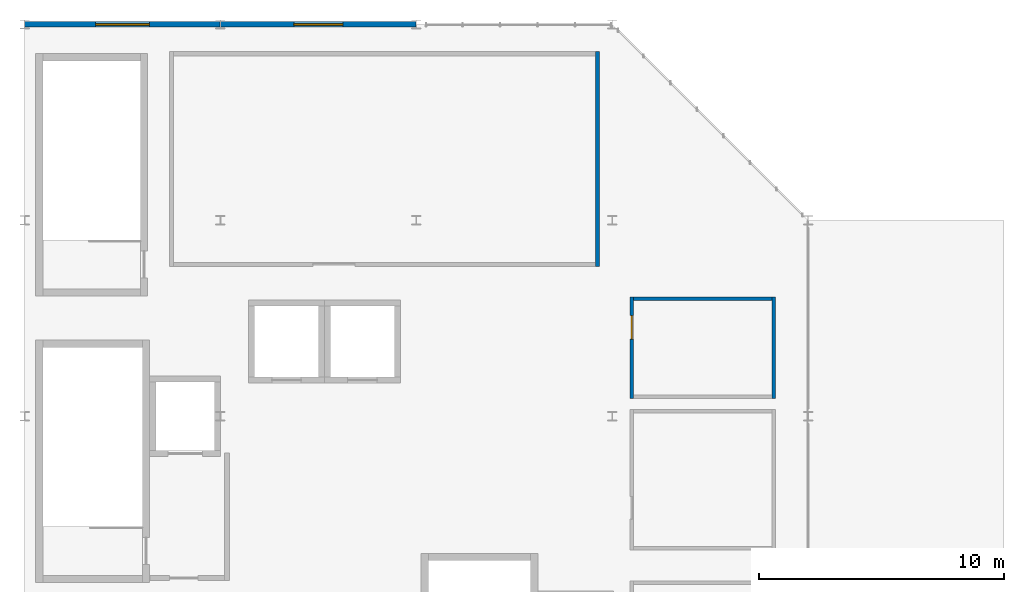
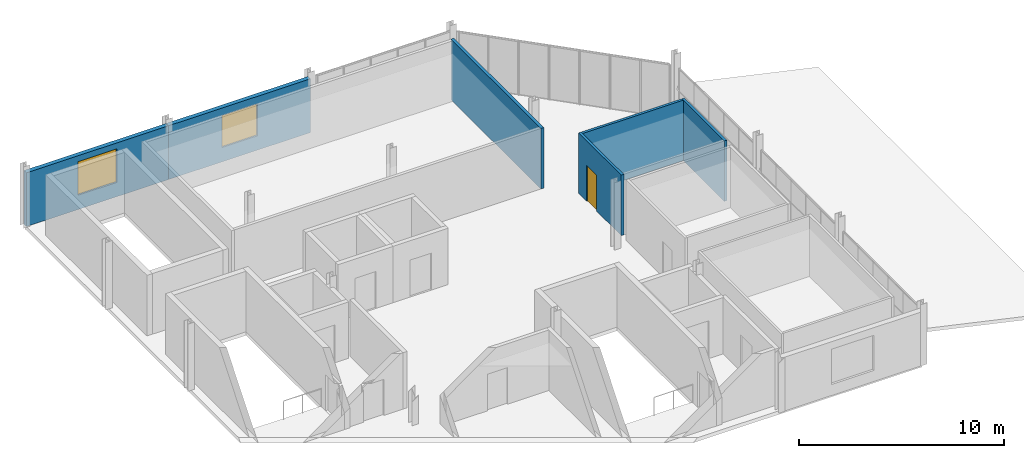
# One storey, part 6 of 7: 6 walls, 2 windows, 1 door, 3 openings.
"""IFC4 building model written with IfcOpenShell, lengths in metres."""

from ifc_helpers import new_model, si_unit, direction, frame, frame_2d, origin, place, context, subcontext, project, spatial, rectangle, extrude, material, layer, layer_set, type_object, element, fill, save


model = new_model("IFC4")

# Units and contexts
model_context = context("Model", 3, precision=1e-05, world=origin(), true_north=direction((0.0, 1.0)))
body_context = subcontext(model_context, "Body", "Model", "MODEL_VIEW")
ifc_project = project(units=[si_unit("LENGTHUNIT", "METRE"), si_unit("AREAUNIT", "SQUARE_METRE"), si_unit("VOLUMEUNIT", "CUBIC_METRE"), si_unit("PLANEANGLEUNIT", "RADIAN"), si_unit("MASSUNIT", "GRAM", prefix="KILO")], contexts=[model_context])

# Site, building, storey
site_placement = place(None, origin())
site = spatial("IfcSite", under=ifc_project, at=site_placement, CompositionType="ELEMENT")
building_placement = place(site_placement, origin())
building = spatial("IfcBuilding", under=site, at=building_placement, Name="Drelvath Fold Interchange", CompositionType="ELEMENT")
storey_placement = place(building_placement, frame((0.0, 0.0, 24.0)))
storey = spatial("IfcBuildingStorey", under=building, at=storey_placement, Name="L05", CompositionType="ELEMENT", Elevation=24.0)

# Wall, opening, window
ifc_material_1 = material(Name="Perforated Anodized Aluminium Rainscreen", Category="aluminium")
ifc_layer_1 = layer(ifc_material_1, 0.235107421875, Name="Perforated Anodized Aluminium Rainscreen")
ifc_layer_set_1 = layer_set([ifc_layer_1], Name="Perforated Anodized Aluminium Rainscreen")
wall_type_1 = type_object("IfcWallType", Name="WL-EXT235", PredefinedType="SOLIDWALL", material=ifc_layer_set_1)
wall_1_placement = place(storey_placement, frame((4.008056640625, 35.0, 0.0), z_axis=(0.0, 0.0, 1.0), x_axis=(1.0, 0.0, 0.0)))
wall_1 = element("IfcWall", 1, at=wall_1_placement, inside=storey, type_object=wall_type_1, Name="L05 exterior facade wall 83", PredefinedType="SOLIDWALL", context=body_context, shape_type="SweptSolid", body=[
    extrude(rectangle(XDim=7.98388671875, YDim=0.235107421875, at=frame_2d((3.991943359375, 0.0))), origin(), (0.0, 0.0, 1.0), 3.199951171875),
])
opening_1_placement = place(wall_1_placement, frame((2.89208984375, 0.0, 0.85009765625)))
opening_1 = element("IfcOpeningElement", 2, at=opening_1_placement, cuts=wall_1, Name="Opening W-L05-074", PredefinedType="OPENING", context=body_context, shape_type="SweptSolid", body=[
    extrude(rectangle(XDim=2.199951171875, YDim=2.0, at=frame_2d((1.10009765625, 1.0))), frame((0.0, 0.12744140625, 0.0), z_axis=(0.0, -1.0, 0.0), x_axis=(1.0, 0.0, 0.0)), (0.0, 0.0, 1.0), 0.255126953125),
])
ifc_material_2 = material(Name="Low-Iron Insulated Laminated Glass", Category="glass")
window_type_1 = type_object("IfcWindowType", Name="WN-220x200", PartitioningType="DOUBLE_PANEL_VERTICAL", PredefinedType="WINDOW", material=ifc_material_2)
window_1_placement = place(opening_1_placement, origin())
window_1 = element("IfcWindow", 3, at=window_1_placement, inside=storey, type_object=window_type_1, Name="Facade window W-L05-074", OverallHeight=2.0, OverallWidth=2.199951171875, PartitioningType="SINGLE_PANEL", PredefinedType="WINDOW", context=body_context, shape_type="SweptSolid", body=[
    extrude(rectangle(XDim=2.199951171875, YDim=2.0, at=frame_2d((1.10009765625, 1.0))), frame((0.0, 0.030029296875, 0.0), z_axis=(0.0, -1.0, 0.0), x_axis=(1.0, 0.0, 0.0)), (0.0, 0.0, 1.0), 0.06005859375),
])
fill(opening_1, window_1)

wall_2_placement = place(storey_placement, frame((12.008056640625, 35.0, 0.0), z_axis=(0.0, 0.0, 1.0), x_axis=(1.0, 0.0, 0.0)))
wall_2 = element("IfcWall", 4, at=wall_2_placement, inside=storey, type_object=wall_type_1, Name="L05 exterior facade wall 84", PredefinedType="SOLIDWALL", context=body_context, shape_type="SweptSolid", body=[
    extrude(rectangle(XDim=7.98388671875, YDim=0.235107421875, at=frame_2d((3.991943359375, 0.0))), origin(), (0.0, 0.0, 1.0), 3.199951171875),
])
opening_2_placement = place(wall_2_placement, frame((2.991943359375, 0.0, 0.85009765625)))
opening_2 = element("IfcOpeningElement", 5, at=opening_2_placement, cuts=wall_2, Name="Opening W-L05-075", PredefinedType="OPENING", context=body_context, shape_type="SweptSolid", body=[
    extrude(rectangle(XDim=2.0, YDim=1.89990234375, at=frame_2d((1.0, 0.949951171875))), frame((0.0, 0.12744140625, 0.0), z_axis=(0.0, -1.0, 0.0), x_axis=(1.0, 0.0, 0.0)), (0.0, 0.0, 1.0), 0.255126953125),
])
window_type_2 = type_object("IfcWindowType", Name="WN-200x190", PartitioningType="DOUBLE_PANEL_VERTICAL", PredefinedType="WINDOW", material=ifc_material_2)
window_2_placement = place(opening_2_placement, origin())
window_2 = element("IfcWindow", 6, at=window_2_placement, inside=storey, type_object=window_type_2, Name="Facade window W-L05-075", OverallHeight=1.89990234375, OverallWidth=2.0, PartitioningType="SINGLE_PANEL", PredefinedType="WINDOW", context=body_context, shape_type="SweptSolid", body=[
    extrude(rectangle(XDim=2.0, YDim=1.89990234375, at=frame_2d((1.0, 0.949951171875))), frame((0.0, 0.030029296875, 0.0), z_axis=(0.0, -1.0, 0.0), x_axis=(1.0, 0.0, 0.0)), (0.0, 0.0, 1.0), 0.06005859375),
])
fill(opening_2, window_2)

# Walls
ifc_material_3 = material(Name="Acoustic Gypsum Board Partition Assembly")
ifc_layer_2 = layer(ifc_material_3, 0.14501953125, Name="Acoustic Gypsum Board Partition Assembly")
ifc_layer_set_2 = layer_set([ifc_layer_2], Name="Acoustic Gypsum Board Partition Assembly")
wall_type_2 = type_object("IfcWallType", Name="WL-PT145", PredefinedType="PARTITIONING", material=ifc_layer_set_2)
wall_3_placement = place(storey_placement, frame((34.60009765625, 19.72705078125, 0.0), z_axis=(0.0, 0.0, 1.0), x_axis=(0.0, 1.0, 0.0)))
element("IfcWall", 7, at=wall_3_placement, inside=storey, type_object=wall_type_2, Name="Control Theatre Accessible WC E partition", PredefinedType="PARTITIONING", context=body_context, shape_type="SweptSolid", body=[
    extrude(rectangle(XDim=4.14599609375, YDim=0.14501953125, at=frame_2d((2.072998046875, 0.0))), origin(), (0.0, 0.0, 1.0), 3.60009765625),
])
wall_4_placement = place(storey_placement, frame((34.528076171875, 23.800048828125, 0.0), z_axis=(0.0, 0.0, 1.0), x_axis=(-1.0, 0.0, 0.0)))
element("IfcWall", 8, at=wall_4_placement, inside=storey, type_object=wall_type_2, Name="Control Theatre Accessible WC N partition", PredefinedType="PARTITIONING", context=body_context, shape_type="SweptSolid", body=[
    extrude(rectangle(XDim=5.655029296875, YDim=0.14501953125, at=frame_2d((2.82763671875, 0.0))), origin(), (0.0, 0.0, 1.0), 3.60009765625),
])

# Wall, opening, door
wall_5_placement = place(storey_placement, frame((28.800048828125, 23.873046875, 0.0), z_axis=(0.0, 0.0, 1.0), x_axis=(0.0, -1.0, 0.0)))
wall_5 = element("IfcWall", 9, at=wall_5_placement, inside=storey, type_object=wall_type_2, Name="Control Theatre Accessible WC W partition", PredefinedType="PARTITIONING", context=body_context, shape_type="SweptSolid", body=[
    extrude(rectangle(XDim=4.14599609375, YDim=0.14501953125, at=frame_2d((2.072998046875, 0.0))), origin(), (0.0, 0.0, 1.0), 3.60009765625),
])
opening_3_placement = place(wall_5_placement, frame((0.763916015625, 0.0, 0.0)))
opening_3 = element("IfcOpeningElement", 10, at=opening_3_placement, cuts=wall_5, Name="Opening D-L05-142", PredefinedType="OPENING", context=body_context, shape_type="SweptSolid", body=[
    extrude(rectangle(XDim=0.9599609375, YDim=2.1201171875, at=frame_2d((0.47998046875, 1.06005859375))), frame((0.0, 0.08251953125, 0.0), z_axis=(0.0, -1.0, 0.0), x_axis=(1.0, 0.0, 0.0)), (0.0, 0.0, 1.0), 0.1650390625),
])
ifc_material_4 = material(Name="Anodized Aluminium Glazed Door Assembly", Category="aluminium")
door_type = type_object("IfcDoorType", Name="DR-NR096", OperationType="NOTDEFINED", PredefinedType="DOOR", material=ifc_material_4)
door_placement = place(opening_3_placement, frame((0.9599609375, 0.0, 0.0), z_axis=(0.0, 0.0, 1.0), x_axis=(-1.0, 0.0, 0.0)))
door = element("IfcDoor", 11, at=door_placement, inside=storey, type_object=door_type, Name="Control Theatre Accessible WC door D-L05-142", OperationType="SINGLE_SWING_RIGHT", OverallHeight=2.1201171875, OverallWidth=0.9599609375, PredefinedType="DOOR", context=body_context, shape_type="SweptSolid", body=[
    extrude(rectangle(XDim=0.9599609375, YDim=2.1201171875, at=frame_2d((0.47998046875, 1.06005859375))), frame((0.0, 0.02490234375, 0.0), z_axis=(0.0, -1.0, 0.0), x_axis=(1.0, 0.0, 0.0)), (0.0, 0.0, 1.0), 0.050048828125),
])
fill(opening_3, door)

# Wall
ifc_layer_3 = layer(ifc_material_3, 0.169921875, Name="Acoustic Gypsum Board Partition Assembly")
ifc_layer_set_3 = layer_set([ifc_layer_3], Name="Acoustic Gypsum Board Partition Assembly")
wall_type_3 = type_object("IfcWallType", Name="WL-PT170", PredefinedType="PARTITIONING", material=ifc_layer_set_3)
wall_6_placement = place(storey_placement, frame((27.39990234375, 25.114990234375, 0.0), z_axis=(0.0, 0.0, 1.0), x_axis=(0.0, 1.0, 0.0)))
element("IfcWall", 12, at=wall_6_placement, inside=storey, type_object=wall_type_3, Name="Central Network Control Theatre E partition", PredefinedType="PARTITIONING", context=body_context, shape_type="SweptSolid", body=[
    extrude(rectangle(XDim=8.77001953125, YDim=0.169921875, at=frame_2d((4.385009765625, 0.0))), origin(), (0.0, 0.0, 1.0), 3.60009765625),
])

save(model, "model.ifc")
